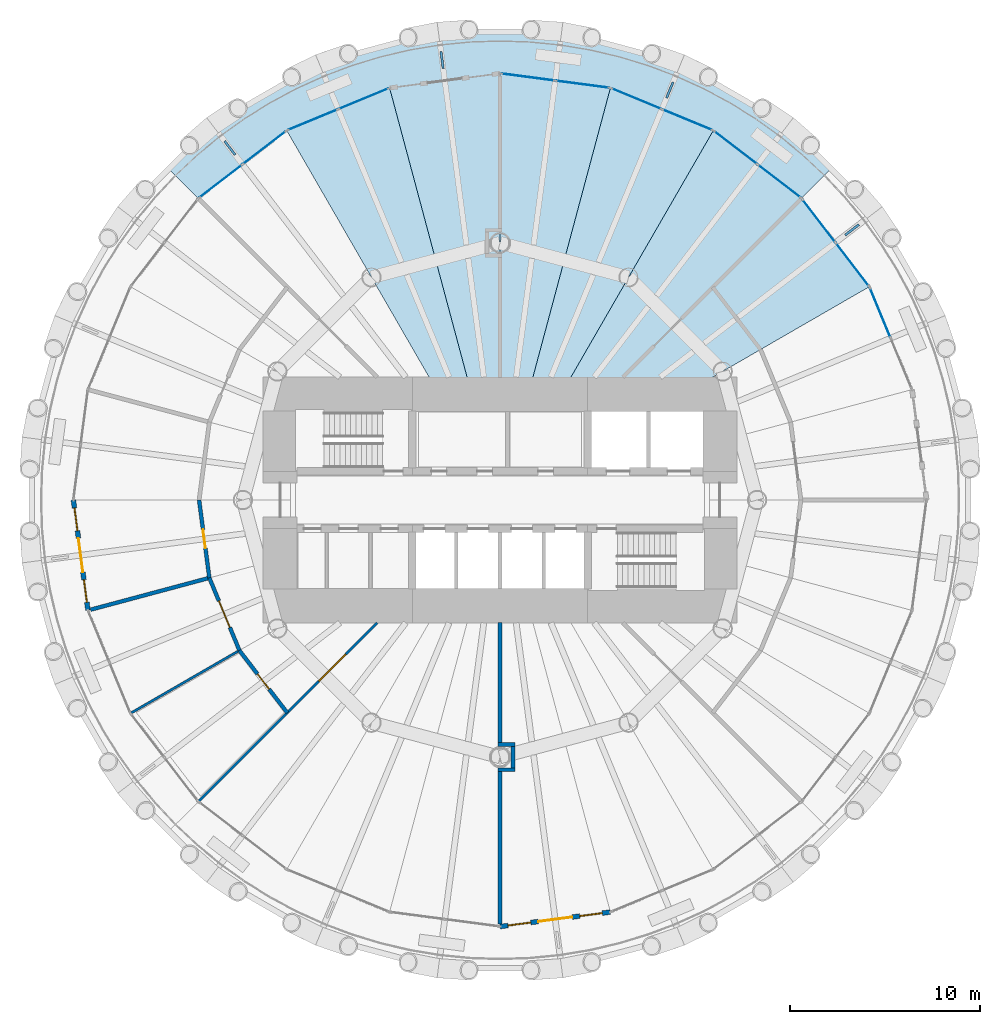
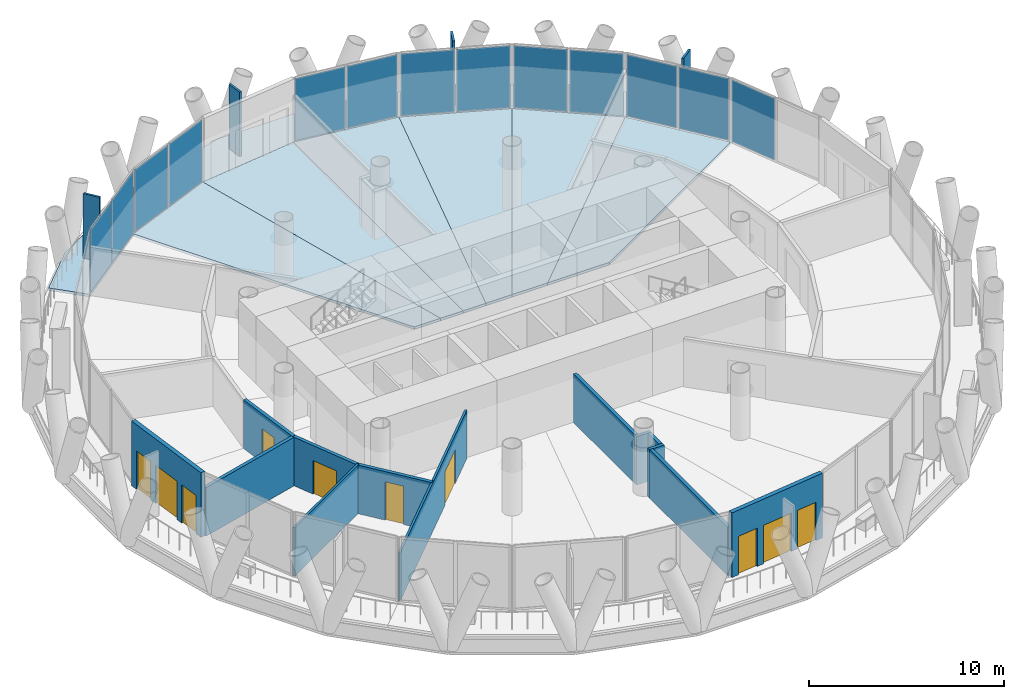
# One storey, part 8 of 14: 17 plates, 13 walls, 7 slabs, 6 doors, 4 windows, 10 openings, 7 elements without a shape of their own.
"""IFC4 building model written with IfcOpenShell, lengths in metres."""

from ifc_helpers import new_model, si_unit, direction, frame, frame_2d, origin, origin_2d, place, context, subcontext, project, spatial, polyline, rectangle, outline, extrude, material, layer, layer_set, type_object, element, fill, aggregate, save


model = new_model("IFC4")

# Units and contexts
model_context = context("Model", 3, precision=1e-05, world=origin(), true_north=direction((0.0, 1.0)))
body_context = subcontext(model_context, "Body", "Model", "MODEL_VIEW")
ifc_project = project(units=[si_unit("LENGTHUNIT", "METRE"), si_unit("AREAUNIT", "SQUARE_METRE"), si_unit("VOLUMEUNIT", "CUBIC_METRE"), si_unit("PLANEANGLEUNIT", "RADIAN"), si_unit("MASSUNIT", "GRAM", prefix="KILO")], contexts=[model_context])

# Site, building, storey
site_placement = place(None, origin())
site = spatial("IfcSite", under=ifc_project, at=site_placement, CompositionType="ELEMENT")
building_placement = place(site_placement, origin())
building = spatial("IfcBuilding", under=site, at=building_placement, Name="Qaws Media Tower", CompositionType="ELEMENT")
storey_placement = place(building_placement, frame((0.0, 0.0, 152.0)))
storey = spatial("IfcBuildingStorey", under=building, at=storey_placement, Name="L34", CompositionType="ELEMENT", Elevation=152.0)

# Slabs
ifc_material_1 = material(Name="Concrete C35/45", Category="concrete")
ifc_layer_1 = layer(ifc_material_1, 0.159912109375)
ifc_layer_set_1 = layer_set([ifc_layer_1], Name="Composite balcony slab 160")
slab_type_1 = type_object("IfcSlabType", Name="Composite balcony slab 160", PredefinedType="FLOOR", material=ifc_layer_set_1)
slab_1_placement = place(storey_placement, frame((0.0, 0.0, -0.159912109375)))
element("IfcSlab", 1, at=slab_1_placement, inside=storey, type_object=slab_type_1, Name="S2 balcony slab L34 R04 to R10, movement joints on R04 and R10", PredefinedType="FLOOR", context=body_context, shape_type="SweptSolid", body=[
    extrude(outline(polyline([(44.902587890625, 69.67529296875), (50.509521484375, 72.912109375), (56.762939453125, 74.587890625), (63.237060546875, 74.587890625), (69.490478515625, 72.912109375), (75.097412109375, 69.67529296875), (77.38623046875, 67.38623046875), (75.839111328125, 65.839111328125), (71.199951171875, 69.39892578125), (65.797607421875, 71.63671875), (60.0, 72.39990234375), (54.202392578125, 71.63671875), (48.800048828125, 69.39892578125), (44.160888671875, 65.839111328125), (42.61376953125, 67.38623046875), (44.902587890625, 69.67529296875)])), origin(), (0.0, 0.0, 1.0), 0.159912109375),
])
ifc_material_2 = material(Name="Concrete C35/45", Category="concrete")
ifc_layer_2 = layer(ifc_material_2, 0.159912109375)
ifc_layer_set_2 = layer_set([ifc_layer_2], Name="Composite floor slab 160")
slab_type_2 = type_object("IfcSlabType", Name="Composite floor slab 160", PredefinedType="FLOOR", material=ifc_layer_set_2)
slab_2_placement = place(storey_placement, frame((0.0, 0.0, -0.159912109375)))
element("IfcSlab", 2, at=slab_2_placement, inside=storey, type_object=slab_type_2, Name="S1 floor panel L34 on R03+7.5", PredefinedType="FLOOR", context=body_context, shape_type="SweptSolid", body=[
    extrude(outline(polyline([(79.39892578125, 61.199951171875), (68.660400390625, 55.0), (65.0, 55.0), (75.839111328125, 65.839111328125), (79.39892578125, 61.199951171875)])), origin(), (0.0, 0.0, 1.0), 0.159912109375),
])
slab_3_placement = place(storey_placement, frame((0.0, 0.0, -0.159912109375)))
element("IfcSlab", 3, at=slab_3_placement, inside=storey, type_object=slab_type_2, Name="S1 floor panel L34 on R04+7.5", PredefinedType="FLOOR", context=body_context, shape_type="SweptSolid", body=[
    extrude(outline(polyline([(75.839111328125, 65.839111328125), (65.0, 55.0), (62.88671875, 55.0), (71.199951171875, 69.39892578125), (75.839111328125, 65.839111328125)])), origin(), (0.0, 0.0, 1.0), 0.159912109375),
])
slab_4_placement = place(storey_placement, frame((0.0, 0.0, -0.159912109375)))
element("IfcSlab", 4, at=slab_4_placement, inside=storey, type_object=slab_type_2, Name="S1 floor panel L34 on R05+7.5", PredefinedType="FLOOR", context=body_context, shape_type="SweptSolid", body=[
    extrude(outline(polyline([(65.797607421875, 71.63671875), (71.199951171875, 69.39892578125), (62.88671875, 55.0), (61.339599609375, 55.0), (65.797607421875, 71.63671875)])), origin(), (0.0, 0.0, 1.0), 0.159912109375),
])
slab_5_placement = place(storey_placement, frame((0.0, 0.0, -0.159912109375)))
element("IfcSlab", 5, at=slab_5_placement, inside=storey, type_object=slab_type_2, Name="S1 floor panel L34 on R06+7.5", PredefinedType="FLOOR", context=body_context, shape_type="SweptSolid", body=[
    extrude(outline(polyline([(65.797607421875, 71.63671875), (61.339599609375, 55.0), (60.0, 55.0), (60.0, 72.39990234375), (65.797607421875, 71.63671875)])), origin(), (0.0, 0.0, 1.0), 0.159912109375),
])
slab_6_placement = place(storey_placement, frame((0.0, 0.0, -0.159912109375)))
element("IfcSlab", 6, at=slab_6_placement, inside=storey, type_object=slab_type_2, Name="S1 floor panel L34 on R07+7.5", PredefinedType="FLOOR", context=body_context, shape_type="SweptSolid", body=[
    extrude(outline(polyline([(60.0, 72.39990234375), (60.0, 55.0), (58.660400390625, 55.0), (54.202392578125, 71.63671875), (60.0, 72.39990234375)])), origin(), (0.0, 0.0, 1.0), 0.159912109375),
])
slab_7_placement = place(storey_placement, frame((0.0, 0.0, -0.159912109375)))
element("IfcSlab", 7, at=slab_7_placement, inside=storey, type_object=slab_type_2, Name="S1 floor panel L34 on R08+7.5", PredefinedType="FLOOR", context=body_context, shape_type="SweptSolid", body=[
    extrude(outline(polyline([(48.800048828125, 69.39892578125), (54.202392578125, 71.63671875), (58.660400390625, 55.0), (57.11328125, 55.0), (48.800048828125, 69.39892578125)])), origin(), (0.0, 0.0, 1.0), 0.159912109375),
])

# Curtain wall, plate
ifc_material_3 = material(Name="Aluminium and clear glass", Category="aluminium")
curtain_wall_type = type_object("IfcCurtainWallType", Name="Unitised curtain wall CW-B", PredefinedType="NOTDEFINED", material=ifc_material_3)
curtain_wall_1_placement = place(storey_placement, origin())
curtain_wall_1 = element("IfcCurtainWall", 8, at=curtain_wall_1_placement, inside=storey, type_object=curtain_wall_type, Name="CWB curtain wall L34-02", PredefinedType="NOTDEFINED")
ifc_material_4 = material(Name="Clear laminated double glazing", Category="glass")
ifc_layer_3 = layer(ifc_material_4, 0.031982421875)
ifc_layer_set_3 = layer_set([ifc_layer_3], Name="Curtain wall glass unit 32")
plate_type_1 = type_object("IfcPlateType", Name="Curtain wall glass unit 32", PredefinedType="CURTAIN_PANEL", material=ifc_layer_set_3)
plate_1_placement = place(storey_placement, frame((79.966064453125, 59.830810546875, 0.080078125), z_axis=(0.0, 0.0, 1.0), x_axis=(-0.382683534144, 0.923879490353, 0.0)))
plate_1 = element("IfcPlate", 9, at=plate_1_placement, type_object=plate_type_1, Name="CWB panel 2.1", PredefinedType="CURTAIN_PANEL", context=body_context, shape_type="SweptSolid", body=[
    extrude(rectangle(XDim=2.8037109375, YDim=0.031982421875, at=origin_2d()), origin(), (0.0, 0.0, 1.0), 3.8798828125),
])
aggregate(curtain_wall_1, [plate_1])

# Curtain wall, plates
curtain_wall_2_placement = place(storey_placement, origin())
curtain_wall_2 = element("IfcCurtainWall", 10, at=curtain_wall_2_placement, inside=storey, type_object=curtain_wall_type, Name="CWB curtain wall L34-03", PredefinedType="NOTDEFINED")
plate_2_placement = place(storey_placement, frame((78.496826171875, 62.375732421875, 0.080078125), z_axis=(0.0, 0.0, 1.0), x_axis=(-0.608761404902, 0.793353358789, 0.0)))
plate_2 = element("IfcPlate", 11, at=plate_2_placement, type_object=plate_type_1, Name="CWB panel 1.1", PredefinedType="CURTAIN_PANEL", context=body_context, shape_type="SweptSolid", body=[
    extrude(rectangle(XDim=2.8037109375, YDim=0.031982421875, at=origin_2d()), origin(), (0.0, 0.0, 1.0), 3.8798828125),
])
plate_3_placement = place(storey_placement, frame((76.7412109375, 64.66357421875, 0.080078125), z_axis=(0.0, 0.0, 1.0), x_axis=(-0.608761404902, 0.793353358789, 0.0)))
plate_3 = element("IfcPlate", 12, at=plate_3_placement, type_object=plate_type_1, Name="CWB panel 2.1", PredefinedType="CURTAIN_PANEL", context=body_context, shape_type="SweptSolid", body=[
    extrude(rectangle(XDim=2.8037109375, YDim=0.031982421875, at=origin_2d()), origin(), (0.0, 0.0, 1.0), 3.8798828125),
])
aggregate(curtain_wall_2, [plate_2, plate_3])

curtain_wall_3_placement = place(storey_placement, origin())
curtain_wall_3 = element("IfcCurtainWall", 13, at=curtain_wall_3_placement, inside=storey, type_object=curtain_wall_type, Name="CWB curtain wall L34-04", PredefinedType="NOTDEFINED")
plate_4_placement = place(storey_placement, frame((74.66357421875, 66.7412109375, 0.080078125), z_axis=(0.0, 0.0, 1.0), x_axis=(-0.793353358789, 0.608761404902, 0.0)))
plate_4 = element("IfcPlate", 14, at=plate_4_placement, type_object=plate_type_1, Name="CWB panel 1.1", PredefinedType="CURTAIN_PANEL", context=body_context, shape_type="SweptSolid", body=[
    extrude(rectangle(XDim=2.8037109375, YDim=0.031982421875, at=origin_2d()), origin(), (0.0, 0.0, 1.0), 3.8798828125),
])
plate_5_placement = place(storey_placement, frame((72.375732421875, 68.496826171875, 0.080078125), z_axis=(0.0, 0.0, 1.0), x_axis=(-0.793353358789, 0.608761404902, 0.0)))
plate_5 = element("IfcPlate", 15, at=plate_5_placement, type_object=plate_type_1, Name="CWB panel 2.1", PredefinedType="CURTAIN_PANEL", context=body_context, shape_type="SweptSolid", body=[
    extrude(rectangle(XDim=2.8037109375, YDim=0.031982421875, at=origin_2d()), origin(), (0.0, 0.0, 1.0), 3.8798828125),
])
aggregate(curtain_wall_3, [plate_4, plate_5])

curtain_wall_4_placement = place(storey_placement, origin())
curtain_wall_4 = element("IfcCurtainWall", 16, at=curtain_wall_4_placement, inside=storey, type_object=curtain_wall_type, Name="CWB curtain wall L34-05", PredefinedType="NOTDEFINED")
plate_6_placement = place(storey_placement, frame((69.830810546875, 69.966064453125, 0.080078125), z_axis=(0.0, 0.0, 1.0), x_axis=(-0.923879490353, 0.382683534144, 0.0)))
plate_6 = element("IfcPlate", 17, at=plate_6_placement, type_object=plate_type_1, Name="CWB panel 1.1", PredefinedType="CURTAIN_PANEL", context=body_context, shape_type="SweptSolid", body=[
    extrude(rectangle(XDim=2.8037109375, YDim=0.031982421875, at=origin_2d()), origin(), (0.0, 0.0, 1.0), 3.8798828125),
])
plate_7_placement = place(storey_placement, frame((67.166748046875, 71.069580078125, 0.080078125), z_axis=(0.0, 0.0, 1.0), x_axis=(-0.923879490353, 0.382683534144, 0.0)))
plate_7 = element("IfcPlate", 18, at=plate_7_placement, type_object=plate_type_1, Name="CWB panel 2.1", PredefinedType="CURTAIN_PANEL", context=body_context, shape_type="SweptSolid", body=[
    extrude(rectangle(XDim=2.8037109375, YDim=0.031982421875, at=origin_2d()), origin(), (0.0, 0.0, 1.0), 3.8798828125),
])
aggregate(curtain_wall_4, [plate_6, plate_7])

curtain_wall_5_placement = place(storey_placement, origin())
curtain_wall_5 = element("IfcCurtainWall", 19, at=curtain_wall_5_placement, inside=storey, type_object=curtain_wall_type, Name="CWB curtain wall L34-06", PredefinedType="NOTDEFINED")
plate_8_placement = place(storey_placement, frame((64.328369140625, 71.830078125, 0.080078125), z_axis=(0.0, 0.0, 1.0), x_axis=(-0.991444873377, 0.130526101045, 0.0)))
plate_8 = element("IfcPlate", 20, at=plate_8_placement, type_object=plate_type_1, Name="CWB panel 1.1", PredefinedType="CURTAIN_PANEL", context=body_context, shape_type="SweptSolid", body=[
    extrude(rectangle(XDim=2.8037109375, YDim=0.031982421875, at=origin_2d()), origin(), (0.0, 0.0, 1.0), 3.8798828125),
])
plate_9_placement = place(storey_placement, frame((61.46923828125, 72.20654296875, 0.080078125), z_axis=(0.0, 0.0, 1.0), x_axis=(-0.991444873377, 0.130526101045, 0.0)))
plate_9 = element("IfcPlate", 21, at=plate_9_placement, type_object=plate_type_1, Name="CWB panel 2.1", PredefinedType="CURTAIN_PANEL", context=body_context, shape_type="SweptSolid", body=[
    extrude(rectangle(XDim=2.8037109375, YDim=0.031982421875, at=origin_2d()), origin(), (0.0, 0.0, 1.0), 3.8798828125),
])
aggregate(curtain_wall_5, [plate_8, plate_9])

curtain_wall_6_placement = place(storey_placement, origin())
curtain_wall_6 = element("IfcCurtainWall", 22, at=curtain_wall_6_placement, inside=storey, type_object=curtain_wall_type, Name="CWB curtain wall L34-08", PredefinedType="NOTDEFINED")
plate_10_placement = place(storey_placement, frame((52.833251953125, 71.069580078125, 0.080078125), z_axis=(0.0, 0.0, 1.0), x_axis=(-0.923879490353, -0.382683534144, 0.0)))
plate_10 = element("IfcPlate", 23, at=plate_10_placement, type_object=plate_type_1, Name="CWB panel 1.1", PredefinedType="CURTAIN_PANEL", context=body_context, shape_type="SweptSolid", body=[
    extrude(rectangle(XDim=2.8037109375, YDim=0.031982421875, at=origin_2d()), origin(), (0.0, 0.0, 1.0), 3.8798828125),
])
plate_11_placement = place(storey_placement, frame((50.169189453125, 69.966064453125, 0.080078125), z_axis=(0.0, 0.0, 1.0), x_axis=(-0.923879490353, -0.382683534144, 0.0)))
plate_11 = element("IfcPlate", 24, at=plate_11_placement, type_object=plate_type_1, Name="CWB panel 2.1", PredefinedType="CURTAIN_PANEL", context=body_context, shape_type="SweptSolid", body=[
    extrude(rectangle(XDim=2.8037109375, YDim=0.031982421875, at=origin_2d()), origin(), (0.0, 0.0, 1.0), 3.8798828125),
])
aggregate(curtain_wall_6, [plate_10, plate_11])

curtain_wall_7_placement = place(storey_placement, origin())
curtain_wall_7 = element("IfcCurtainWall", 25, at=curtain_wall_7_placement, inside=storey, type_object=curtain_wall_type, Name="CWB curtain wall L34-09", PredefinedType="NOTDEFINED")
plate_12_placement = place(storey_placement, frame((47.624267578125, 68.496826171875, 0.080078125), z_axis=(0.0, 0.0, 1.0), x_axis=(-0.793353358789, -0.608761404902, 0.0)))
plate_12 = element("IfcPlate", 26, at=plate_12_placement, type_object=plate_type_1, Name="CWB panel 1.1", PredefinedType="CURTAIN_PANEL", context=body_context, shape_type="SweptSolid", body=[
    extrude(rectangle(XDim=2.8037109375, YDim=0.031982421875, at=origin_2d()), origin(), (0.0, 0.0, 1.0), 3.8798828125),
])
plate_13_placement = place(storey_placement, frame((45.33642578125, 66.7412109375, 0.080078125), z_axis=(0.0, 0.0, 1.0), x_axis=(-0.793353358789, -0.608761404902, 0.0)))
plate_13 = element("IfcPlate", 27, at=plate_13_placement, type_object=plate_type_1, Name="CWB panel 2.1", PredefinedType="CURTAIN_PANEL", context=body_context, shape_type="SweptSolid", body=[
    extrude(rectangle(XDim=2.8037109375, YDim=0.031982421875, at=origin_2d()), origin(), (0.0, 0.0, 1.0), 3.8798828125),
])
aggregate(curtain_wall_7, [plate_12, plate_13])

# Plates
ifc_material_5 = material(Name="Precast concrete screen fin", Category="concrete")
ifc_layer_4 = layer(ifc_material_5, 0.1201171875)
ifc_layer_set_4 = layer_set([ifc_layer_4], Name="Screen fin 120x900")
plate_type_2 = type_object("IfcPlateType", Name="Screen fin 120x900", PredefinedType="USERDEFINED", material=ifc_layer_set_4)
for number, where, z_axis, x_axis, name in (
    (28, (78.485107421875, 64.18408203125, 0.0), (0.0, 0.0, 1.0), (0.793353340291, 0.608761429009, 0.0), "SCR1 screen fin L34-02"),
    (29, (68.91650390625, 71.5263671875, 0.0), (0.0, 0.0, 1.0), (0.382683432365, 0.923879532511, 0.0), "SCR1 screen fin L34-03"),
    (30, (56.958740234375, 73.1005859375, 0.0), (0.0, 0.0, 1.0), (-0.13052619222, 0.991444861374, 0.0), "SCR1 screen fin L34-04"),
    (31, (45.81591796875, 68.485107421875, 0.0), (0.0, 0.0, 1.0), (-0.608761429009, 0.793353340291, 0.0), "SCR1 screen fin L34-05"),
):
    element("IfcPlate", number, at=place(storey_placement, frame(where, z_axis=z_axis, x_axis=x_axis)), inside=storey, type_object=plate_type_2, Name=name, ObjectType="SCREEN", PredefinedType="USERDEFINED", context=body_context, shape_type="SweptSolid", body=[
        extrude(rectangle(XDim=0.89990234375, YDim=0.1201171875, at=origin_2d()), origin(), (0.0, 0.0, 1.0), 4.0400390625),
    ])

# Wall, openings, door, windows
ifc_material_6 = material(Name="Precast concrete, exposed finish", Category="concrete")
ifc_layer_5 = layer(ifc_material_6, 0.25)
ifc_layer_set_5 = layer_set([ifc_layer_5], Name="Balcony door wall 250")
wall_type_1 = type_object("IfcWallType", Name="Balcony door wall 250", PredefinedType="SOLIDWALL", material=ifc_layer_set_5)
wall_1_placement = place(storey_placement, frame((37.60009765625, 50.0, 0.0), z_axis=(0.0, 0.0, 1.0), x_axis=(0.130511752182, -0.991446762334, 0.0)))
wall_1 = element("IfcWall", 32, at=wall_1_placement, inside=storey, type_object=wall_type_1, Name="W198 EW1 balcony door wall L34-13", PredefinedType="SOLIDWALL", context=body_context, shape_type="SweptSolid", body=[
    extrude(rectangle(XDim=5.84765625, YDim=0.25, at=frame_2d((2.923828125, 0.0))), origin(), (0.0, 0.0, 1.0), 4.0400390625),
])
opening_1_placement = place(wall_1_placement, frame((2.023681640625, 0.0, 0.0)))
opening_1 = element("IfcOpeningElement", 33, at=opening_1_placement, cuts=wall_1, Name="Opening D7", PredefinedType="OPENING", context=body_context, shape_type="SweptSolid", body=[
    extrude(rectangle(XDim=1.800048828125, YDim=2.39990234375, at=frame_2d((0.89990234375, 1.199951171875))), frame((0.0, 0.135009765625, 0.0), z_axis=(0.0, -1.0, 0.0), x_axis=(1.0, 0.0, 0.0)), (0.0, 0.0, 1.0), 0.27001953125),
])
opening_2_placement = place(wall_1_placement, frame((0.423828125, 0.0, 0.0)))
opening_2 = element("IfcOpeningElement", 34, at=opening_2_placement, cuts=wall_1, Name="Opening W1", PredefinedType="OPENING", context=body_context, shape_type="SweptSolid", body=[
    extrude(rectangle(XDim=1.199951171875, YDim=2.39990234375, at=frame_2d((0.60009765625, 1.199951171875))), frame((0.0, 0.135009765625, 0.0), z_axis=(0.0, -1.0, 0.0), x_axis=(1.0, 0.0, 0.0)), (0.0, 0.0, 1.0), 0.27001953125),
])
opening_3_placement = place(wall_1_placement, frame((4.223876953125, 0.0, 0.0)))
opening_3 = element("IfcOpeningElement", 35, at=opening_3_placement, cuts=wall_1, Name="Opening W1", PredefinedType="OPENING", context=body_context, shape_type="SweptSolid", body=[
    extrude(rectangle(XDim=1.199951171875, YDim=2.39990234375, at=frame_2d((0.60009765625, 1.199951171875))), frame((0.0, 0.135009765625, 0.0), z_axis=(0.0, -1.0, 0.0), x_axis=(1.0, 0.0, 0.0)), (0.0, 0.0, 1.0), 0.27001953125),
])
ifc_material_7 = material(Name="Aluminium and clear glass", Category="aluminium")
door_type_1 = type_object("IfcDoorType", Name="Balcony door pair 1800", OperationType="DOUBLE_DOOR_SLIDING", PredefinedType="DOOR", material=ifc_material_7)
door_1_placement = place(opening_1_placement, origin())
door_1 = element("IfcDoor", 36, at=door_1_placement, inside=storey, type_object=door_type_1, Name="D7 balcony door L34-13 in wall W198", OperationType="DOUBLE_DOOR_SLIDING", OverallHeight=2.39990234375, OverallWidth=1.800048828125, PredefinedType="DOOR", context=body_context, shape_type="SweptSolid", body=[
    extrude(rectangle(XDim=1.800048828125, YDim=2.39990234375, at=frame_2d((0.89990234375, 1.199951171875))), frame((0.0, 0.02490234375, 0.0), z_axis=(0.0, -1.0, 0.0), x_axis=(1.0, 0.0, 0.0)), (0.0, 0.0, 1.0), 0.050048828125),
])
fill(opening_1, door_1)
ifc_material_8 = material(Name="Aluminium and clear glass", Category="aluminium")
window_type = type_object("IfcWindowType", Name="Balcony side window 1200", PartitioningType="SINGLE_PANEL", PredefinedType="WINDOW", material=ifc_material_8)
window_1_placement = place(opening_2_placement, origin())
window_1 = element("IfcWindow", 37, at=window_1_placement, inside=storey, type_object=window_type, Name="W1 balcony side light L34-13L", OverallHeight=2.39990234375, OverallWidth=1.199951171875, PartitioningType="SINGLE_PANEL", PredefinedType="WINDOW", context=body_context, shape_type="SweptSolid", body=[
    extrude(rectangle(XDim=1.199951171875, YDim=2.39990234375, at=frame_2d((0.60009765625, 1.199951171875))), frame((0.0, 0.030029296875, 0.0), z_axis=(0.0, -1.0, 0.0), x_axis=(1.0, 0.0, 0.0)), (0.0, 0.0, 1.0), 0.06005859375),
])
fill(opening_2, window_1)
window_2_placement = place(opening_3_placement, origin())
window_2 = element("IfcWindow", 38, at=window_2_placement, inside=storey, type_object=window_type, Name="W1 balcony side light L34-13R", OverallHeight=2.39990234375, OverallWidth=1.199951171875, PartitioningType="SINGLE_PANEL", PredefinedType="WINDOW", context=body_context, shape_type="SweptSolid", body=[
    extrude(rectangle(XDim=1.199951171875, YDim=2.39990234375, at=frame_2d((0.60009765625, 1.199951171875))), frame((0.0, 0.030029296875, 0.0), z_axis=(0.0, -1.0, 0.0), x_axis=(1.0, 0.0, 0.0)), (0.0, 0.0, 1.0), 0.06005859375),
])
fill(opening_3, window_2)

wall_2_placement = place(storey_placement, frame((60.0, 27.60009765625, 0.0), z_axis=(0.0, 0.0, 1.0), x_axis=(0.991446762334, 0.130511752182, 0.0)))
wall_2 = element("IfcWall", 39, at=wall_2_placement, inside=storey, type_object=wall_type_1, Name="W199 EW1 balcony door wall L34-19", PredefinedType="SOLIDWALL", context=body_context, shape_type="SweptSolid", body=[
    extrude(rectangle(XDim=5.84765625, YDim=0.25, at=frame_2d((2.923828125, 0.0))), origin(), (0.0, 0.0, 1.0), 4.0400390625),
])
opening_4_placement = place(wall_2_placement, frame((2.023681640625, 0.0, 0.0)))
opening_4 = element("IfcOpeningElement", 40, at=opening_4_placement, cuts=wall_2, Name="Opening D7", PredefinedType="OPENING", context=body_context, shape_type="SweptSolid", body=[
    extrude(rectangle(XDim=1.800048828125, YDim=2.39990234375, at=frame_2d((0.89990234375, 1.199951171875))), frame((0.0, 0.135009765625, 0.0), z_axis=(0.0, -1.0, 0.0), x_axis=(1.0, 0.0, 0.0)), (0.0, 0.0, 1.0), 0.27001953125),
])
opening_5_placement = place(wall_2_placement, frame((0.423828125, 0.0, 0.0)))
opening_5 = element("IfcOpeningElement", 41, at=opening_5_placement, cuts=wall_2, Name="Opening W1", PredefinedType="OPENING", context=body_context, shape_type="SweptSolid", body=[
    extrude(rectangle(XDim=1.199951171875, YDim=2.39990234375, at=frame_2d((0.60009765625, 1.199951171875))), frame((0.0, 0.135009765625, 0.0), z_axis=(0.0, -1.0, 0.0), x_axis=(1.0, 0.0, 0.0)), (0.0, 0.0, 1.0), 0.27001953125),
])
opening_6_placement = place(wall_2_placement, frame((4.223876953125, 0.0, 0.0)))
opening_6 = element("IfcOpeningElement", 42, at=opening_6_placement, cuts=wall_2, Name="Opening W1", PredefinedType="OPENING", context=body_context, shape_type="SweptSolid", body=[
    extrude(rectangle(XDim=1.199951171875, YDim=2.39990234375, at=frame_2d((0.60009765625, 1.199951171875))), frame((0.0, 0.135009765625, 0.0), z_axis=(0.0, -1.0, 0.0), x_axis=(1.0, 0.0, 0.0)), (0.0, 0.0, 1.0), 0.27001953125),
])
door_2_placement = place(opening_4_placement, origin())
door_2 = element("IfcDoor", 43, at=door_2_placement, inside=storey, type_object=door_type_1, Name="D7 balcony door L34-19 in wall W199", OperationType="DOUBLE_DOOR_SLIDING", OverallHeight=2.39990234375, OverallWidth=1.800048828125, PredefinedType="DOOR", context=body_context, shape_type="SweptSolid", body=[
    extrude(rectangle(XDim=1.800048828125, YDim=2.39990234375, at=frame_2d((0.89990234375, 1.199951171875))), frame((0.0, 0.02490234375, 0.0), z_axis=(0.0, -1.0, 0.0), x_axis=(1.0, 0.0, 0.0)), (0.0, 0.0, 1.0), 0.050048828125),
])
fill(opening_4, door_2)
window_3_placement = place(opening_5_placement, origin())
window_3 = element("IfcWindow", 44, at=window_3_placement, inside=storey, type_object=window_type, Name="W1 balcony side light L34-19L", OverallHeight=2.39990234375, OverallWidth=1.199951171875, PartitioningType="SINGLE_PANEL", PredefinedType="WINDOW", context=body_context, shape_type="SweptSolid", body=[
    extrude(rectangle(XDim=1.199951171875, YDim=2.39990234375, at=frame_2d((0.60009765625, 1.199951171875))), frame((0.0, 0.030029296875, 0.0), z_axis=(0.0, -1.0, 0.0), x_axis=(1.0, 0.0, 0.0)), (0.0, 0.0, 1.0), 0.06005859375),
])
fill(opening_5, window_3)
window_4_placement = place(opening_6_placement, origin())
window_4 = element("IfcWindow", 45, at=window_4_placement, inside=storey, type_object=window_type, Name="W1 balcony side light L34-19R", OverallHeight=2.39990234375, OverallWidth=1.199951171875, PartitioningType="SINGLE_PANEL", PredefinedType="WINDOW", context=body_context, shape_type="SweptSolid", body=[
    extrude(rectangle(XDim=1.199951171875, YDim=2.39990234375, at=frame_2d((0.60009765625, 1.199951171875))), frame((0.0, 0.030029296875, 0.0), z_axis=(0.0, -1.0, 0.0), x_axis=(1.0, 0.0, 0.0)), (0.0, 0.0, 1.0), 0.06005859375),
])
fill(opening_6, window_4)

# Wall
ifc_material_9 = material(Name="Two layers gypsum board each side on 75 studs, insulated", Category="gypsum")
ifc_layer_6 = layer(ifc_material_9, 0.125)
ifc_layer_set_6 = layer_set([ifc_layer_6], Name="Meeting room partition 125 Rw 48")
wall_type_2 = type_object("IfcWallType", Name="Meeting room partition 125 Rw 48", PredefinedType="PARTITIONING", material=ifc_layer_set_6)
wall_3_placement = place(storey_placement, frame((46.31689453125, 42.10009765625, 0.0), z_axis=(0.0, 0.0, 1.0), x_axis=(-0.866024449186, -0.500001653409, 0.0)))
element("IfcWall", 46, at=wall_3_placement, inside=storey, type_object=wall_type_2, Name="W562 IW5 partition L34", PredefinedType="PARTITIONING", context=body_context, shape_type="SweptSolid", body=[
    extrude(rectangle(XDim=6.56005859375, YDim=0.125, at=frame_2d((3.280029296875, 0.0))), origin(), (0.0, 0.0, 1.0), 3.0400390625),
])

# Wall, opening, door
wall_4_placement = place(storey_placement, frame((53.550048828125, 43.550048828125, 0.0), z_axis=(0.0, 0.0, 1.0), x_axis=(-0.707106781187, -0.707106781187, 0.0)))
wall_4 = element("IfcWall", 47, at=wall_4_placement, inside=storey, type_object=wall_type_2, Name="W563 IW5 partition L34", PredefinedType="PARTITIONING", context=body_context, shape_type="SweptSolid", body=[
    extrude(rectangle(XDim=13.23828125, YDim=0.125, at=frame_2d((6.619140625, 0.0))), origin(), (0.0, 0.0, 1.0), 3.02001953125),
])
opening_7_placement = place(wall_4_placement, frame((2.339111328125, 0.0, 0.0)))
opening_7 = element("IfcOpeningElement", 48, at=opening_7_placement, cuts=wall_4, Name="Opening D6", PredefinedType="OPENING", context=body_context, shape_type="SweptSolid", body=[
    extrude(rectangle(XDim=2.0, YDim=2.10009765625, at=frame_2d((1.0, 1.050048828125))), frame((0.0, 0.072509765625, 0.0), z_axis=(0.0, -1.0, 0.0), x_axis=(1.0, 0.0, 0.0)), (0.0, 0.0, 1.0), 0.14501953125),
])
ifc_material_10 = material(Name="Steel, acoustic, fire rated", Category="steel")
door_type_2 = type_object("IfcDoorType", Name="Room door pair 2000", OperationType="DOUBLE_DOOR_DOUBLE_SWING", PredefinedType="DOOR", material=ifc_material_10)
door_3_placement = place(opening_7_placement, origin())
door_3 = element("IfcDoor", 49, at=door_3_placement, inside=storey, type_object=door_type_2, Name="D6 IT project office door L34 in wall W563", OperationType="DOUBLE_DOOR_DOUBLE_SWING", OverallHeight=2.10009765625, OverallWidth=2.0, PredefinedType="DOOR", context=body_context, shape_type="SweptSolid", body=[
    extrude(rectangle(XDim=2.0, YDim=2.10009765625, at=frame_2d((1.0, 1.050048828125))), frame((0.0, 0.02490234375, 0.0), z_axis=(0.0, -1.0, 0.0), x_axis=(1.0, 0.0, 0.0)), (0.0, 0.0, 1.0), 0.050048828125),
])
fill(opening_7, door_3)

ifc_material_11 = material(Name="Gypsum board on galvanised metal studs, acoustic double stud, deflection head", Category="gypsum")
ifc_layer_7 = layer(ifc_material_11, 0.199951171875)
ifc_layer_set_7 = layer_set([ifc_layer_7], Name="Room partition 200")
wall_type_3 = type_object("IfcWallType", Name="Room partition 200", PredefinedType="PARTITIONING", material=ifc_layer_set_7)
wall_5_placement = place(storey_placement, frame((48.82763671875, 38.82763671875, 0.0), z_axis=(0.0, 0.0, 1.0), x_axis=(-0.608714823874, 0.793389099494, 0.0)))
wall_5 = element("IfcWall", 50, at=wall_5_placement, inside=storey, type_object=wall_type_3, Name="W948 IW3 partition L34", PredefinedType="PARTITIONING", context=body_context, shape_type="SweptSolid", body=[
    extrude(rectangle(XDim=4.124755859375, YDim=0.199951171875, at=frame_2d((2.0625, 0.0))), origin(), (0.0, 0.0, 1.0), 3.0400390625),
])
opening_8_placement = place(wall_5_placement, frame((1.562255859375, 0.0, 0.0)))
opening_8 = element("IfcOpeningElement", 51, at=opening_8_placement, cuts=wall_5, Name="Opening D13", PredefinedType="OPENING", context=body_context, shape_type="SweptSolid", body=[
    extrude(rectangle(XDim=1.0, YDim=2.39990234375, at=frame_2d((0.5, 1.199951171875))), frame((0.0, 0.10986328125, 0.0), z_axis=(0.0, -1.0, 0.0), x_axis=(1.0, 0.0, 0.0)), (0.0, 0.0, 1.0), 0.219970703125),
])
ifc_material_12 = material(Name="Frameless toughened glass, acoustic seals", Category="glass")
door_type_3 = type_object("IfcDoorType", Name="Glazed meeting room door 1000x2400", OperationType="SINGLE_SWING_LEFT", PredefinedType="DOOR", material=ifc_material_12)
door_4_placement = place(opening_8_placement, origin())
door_4 = element("IfcDoor", 52, at=door_4_placement, inside=storey, type_object=door_type_3, Name="D13 Meeting room door L34 in wall W948", OperationType="SINGLE_SWING_LEFT", OverallHeight=2.39990234375, OverallWidth=1.0, PredefinedType="DOOR", context=body_context, shape_type="SweptSolid", body=[
    extrude(rectangle(XDim=1.0, YDim=2.39990234375, at=frame_2d((0.5, 1.199951171875))), frame((0.0, 0.02490234375, 0.0), z_axis=(0.0, -1.0, 0.0), x_axis=(1.0, 0.0, 0.0)), (0.0, 0.0, 1.0), 0.050048828125),
])
fill(opening_8, door_4)

wall_6_placement = place(storey_placement, frame((46.31689453125, 42.10009765625, 0.0), z_axis=(0.0, 0.0, 1.0), x_axis=(-0.382731667114, 0.923859551549, 0.0)))
wall_6 = element("IfcWall", 53, at=wall_6_placement, inside=storey, type_object=wall_type_3, Name="W946 IW3 partition L34", PredefinedType="PARTITIONING", context=body_context, shape_type="SweptSolid", body=[
    extrude(rectangle(XDim=4.12451171875, YDim=0.199951171875, at=frame_2d((2.062255859375, 0.0))), origin(), (0.0, 0.0, 1.0), 3.0400390625),
])
opening_9_placement = place(wall_6_placement, frame((1.312255859375, 0.0, 0.0)))
opening_9 = element("IfcOpeningElement", 54, at=opening_9_placement, cuts=wall_6, Name="Opening D18", PredefinedType="OPENING", context=body_context, shape_type="SweptSolid", body=[
    extrude(rectangle(XDim=1.5, YDim=2.10009765625, at=frame_2d((0.75, 1.050048828125))), frame((0.0, 0.10986328125, 0.0), z_axis=(0.0, -1.0, 0.0), x_axis=(1.0, 0.0, 0.0)), (0.0, 0.0, 1.0), 0.219970703125),
])
ifc_material_13 = material(Name="Steel, fire rated, unequal leaves", Category="steel")
door_type_4 = type_object("IfcDoorType", Name="Comms room door pair 1500x2100", OperationType="DOUBLE_DOOR_DOUBLE_SWING", PredefinedType="DOOR", material=ifc_material_13)
door_5_placement = place(opening_9_placement, origin())
door_5 = element("IfcDoor", 55, at=door_5_placement, inside=storey, type_object=door_type_4, Name="D18 Comms room door L34 in wall W946", OperationType="DOUBLE_DOOR_DOUBLE_SWING", OverallHeight=2.10009765625, OverallWidth=1.5, PredefinedType="DOOR", context=body_context, shape_type="SweptSolid", body=[
    extrude(rectangle(XDim=1.5, YDim=2.10009765625, at=frame_2d((0.75, 1.050048828125))), frame((0.0, 0.02490234375, 0.0), z_axis=(0.0, -1.0, 0.0), x_axis=(1.0, 0.0, 0.0)), (0.0, 0.0, 1.0), 0.050048828125),
])
fill(opening_9, door_5)

wall_7_placement = place(storey_placement, frame((44.73828125, 45.91064453125, 0.0), z_axis=(0.0, 0.0, 1.0), x_axis=(-0.130515758099, 0.991446234996, 0.0)))
wall_7 = element("IfcWall", 56, at=wall_7_placement, inside=storey, type_object=wall_type_3, Name="W943 IW3 partition L34", PredefinedType="PARTITIONING", context=body_context, shape_type="SweptSolid", body=[
    extrude(rectangle(XDim=4.124755859375, YDim=0.199951171875, at=frame_2d((2.0625, 0.0))), origin(), (0.0, 0.0, 1.0), 3.0400390625),
])
opening_10_placement = place(wall_7_placement, frame((1.562255859375, 0.0, 0.0)))
opening_10 = element("IfcOpeningElement", 57, at=opening_10_placement, cuts=wall_7, Name="Opening D5", PredefinedType="OPENING", context=body_context, shape_type="SweptSolid", body=[
    extrude(rectangle(XDim=1.0, YDim=2.10009765625, at=frame_2d((0.5, 1.050048828125))), frame((0.0, 0.10986328125, 0.0), z_axis=(0.0, -1.0, 0.0), x_axis=(1.0, 0.0, 0.0)), (0.0, 0.0, 1.0), 0.219970703125),
])
ifc_material_14 = material(Name="Timber veneered, acoustic seal", Category="wood")
door_type_5 = type_object("IfcDoorType", Name="Room door 1000", OperationType="SINGLE_SWING_LEFT", PredefinedType="DOOR", material=ifc_material_14)
door_6_placement = place(opening_10_placement, origin())
door_6 = element("IfcDoor", 58, at=door_6_placement, inside=storey, type_object=door_type_5, Name="D5 Server room door L34 in wall W943", OperationType="SINGLE_SWING_LEFT", OverallHeight=2.10009765625, OverallWidth=1.0, PredefinedType="DOOR", context=body_context, shape_type="SweptSolid", body=[
    extrude(rectangle(XDim=1.0, YDim=2.10009765625, at=frame_2d((0.5, 1.050048828125))), frame((0.0, 0.02490234375, 0.0), z_axis=(0.0, -1.0, 0.0), x_axis=(1.0, 0.0, 0.0)), (0.0, 0.0, 1.0), 0.050048828125),
])
fill(opening_10, door_6)

# Walls
wall_8_placement = place(storey_placement, frame((44.73828125, 45.91064453125, 0.0), z_axis=(0.0, 0.0, 1.0), x_axis=(-0.965928145454, -0.258810389705, 0.0)))
element("IfcWall", 59, at=wall_8_placement, inside=storey, type_object=wall_type_3, Name="W1326 IW3 partition L34", PredefinedType="PARTITIONING", context=body_context, shape_type="SweptSolid", body=[
    extrude(rectangle(XDim=6.4599609375, YDim=0.199951171875, at=frame_2d((3.22998046875, 0.0))), origin(), (0.0, 0.0, 1.0), 3.0400390625),
])
for number, where, z_axis, x_axis, name in (
    (60, (59.89990234375, 37.16796875, 0.0), (0.0, 0.0, 1.0), (1.0, 0.0, 0.0), "W1286 IW3 partition return L34"),
    (61, (59.89990234375, 35.83203125, 0.0), (0.0, 0.0, 1.0), (1.0, 0.0, 0.0), "W1285 IW3 partition return L34"),
):
    element("IfcWall", number, at=place(storey_placement, frame(where, z_axis=z_axis, x_axis=x_axis)), inside=storey, type_object=wall_type_3, Name=name, PredefinedType="PARTITIONING", context=body_context, shape_type="SweptSolid", body=[
        extrude(rectangle(XDim=0.878173828125, YDim=0.199951171875, at=frame_2d((0.43896484375, 0.0))), origin(), (0.0, 0.0, 1.0), 3.02001953125),
    ])
wall_9_placement = place(storey_placement, frame((60.677978515625, 37.068115234375, 0.0), z_axis=(0.0, 0.0, 1.0), x_axis=(0.0, -1.0, 0.0)))
element("IfcWall", 62, at=wall_9_placement, inside=storey, type_object=wall_type_3, Name="W1290 IW3 partition return L34", PredefinedType="PARTITIONING", context=body_context, shape_type="SweptSolid", body=[
    extrude(rectangle(XDim=1.13623046875, YDim=0.199951171875, at=frame_2d((0.568115234375, 0.0))), origin(), (0.0, 0.0, 1.0), 3.02001953125),
])
wall_10_placement = place(storey_placement, frame((60.0, 43.56005859375, 0.0), z_axis=(0.0, 0.0, 1.0), x_axis=(0.0, -1.0, 0.0)))
element("IfcWall", 63, at=wall_10_placement, inside=storey, type_object=wall_type_3, Name="W1288 IW3 partition L34", PredefinedType="PARTITIONING", context=body_context, shape_type="SweptSolid", body=[
    extrude(rectangle(XDim=6.2919921875, YDim=0.199951171875, at=frame_2d((3.14599609375, 0.0))), origin(), (0.0, 0.0, 1.0), 3.0400390625),
])
wall_11_placement = place(storey_placement, frame((60.0, 35.73193359375, 0.0), z_axis=(0.0, 0.0, 1.0), x_axis=(0.0, -1.0, 0.0)))
element("IfcWall", 64, at=wall_11_placement, inside=storey, type_object=wall_type_3, Name="W1329 IW3 partition L34", PredefinedType="PARTITIONING", context=body_context, shape_type="SweptSolid", body=[
    extrude(rectangle(XDim=7.991943359375, YDim=0.199951171875, at=frame_2d((3.99609375, 0.0))), origin(), (0.0, 0.0, 1.0), 3.0400390625),
])

save(model, "model.ifc")
